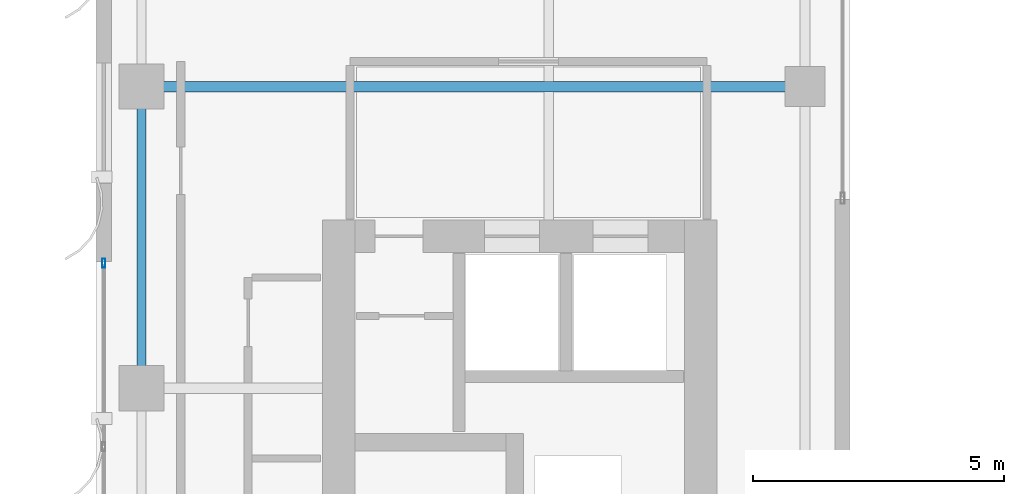
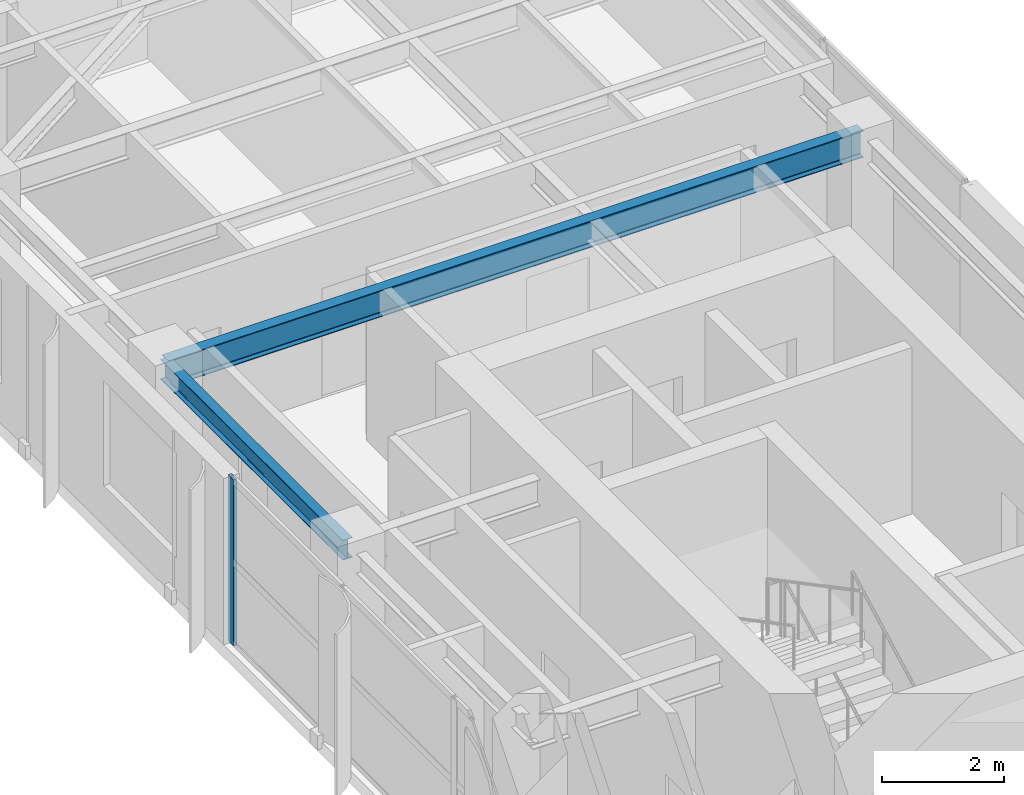
# One storey, part 8 of 22: 2 beams, 1 member, 1 element without a shape of its own.
"""IFC4 building model written with IfcOpenShell, lengths in metres."""

from ifc_helpers import new_model, si_unit, direction, frame, origin, origin_2d, place, context, subcontext, project, spatial, hollow_rectangle, i_section, extrude, source, transform, mapped, material, layer, layer_set, material_profile, profile_set, type_object, element, aggregate, save


model = new_model("IFC4")

# Units and contexts
model_context = context("Model", 3, precision=1e-05, world=origin(), true_north=direction((0.0, 1.0)))
body_context = subcontext(model_context, "Body", "Model", "MODEL_VIEW")
ifc_project = project(units=[si_unit("LENGTHUNIT", "METRE"), si_unit("AREAUNIT", "SQUARE_METRE"), si_unit("VOLUMEUNIT", "CUBIC_METRE"), si_unit("PLANEANGLEUNIT", "RADIAN"), si_unit("MASSUNIT", "GRAM", prefix="KILO")], contexts=[model_context])

# Site, building, storey
site_placement = place(None, origin())
site = spatial("IfcSite", under=ifc_project, at=site_placement, CompositionType="ELEMENT")
building_placement = place(site_placement, origin())
building = spatial("IfcBuilding", under=site, at=building_placement, Name="Khoralis Quay Care Tower", CompositionType="ELEMENT")
storey_placement = place(building_placement, frame((0.0, 0.0, 195.300048828125)))
storey = spatial("IfcBuildingStorey", under=building, at=storey_placement, Name="L51", CompositionType="ELEMENT", Elevation=195.300048828125)

# Beams
ifc_material_1 = material(Name="Steel S355", Category="steel")
ifc_material_profile_1 = material_profile(ifc_material_1, i_section(OverallWidth=0.179931640625, OverallDepth=0.39990234375, WebThickness=0.008544921875, FlangeThickness=0.013427734375, FilletRadius=0.02099609375, at=origin_2d()), Name="Steel S355")
ifc_profile_set_1 = profile_set([ifc_material_profile_1], Name="Steel S355")
beam_type_1 = type_object("IfcBeamType", Name="BM-IPE400", PredefinedType="SPANDREL", material=ifc_profile_set_1)
shared_shape_1 = source(origin(), body_context, "Body", "SweptSolid", [
    extrude(i_section(OverallWidth=0.179931640625, OverallDepth=0.39990234375, WebThickness=0.008544921875, FlangeThickness=0.013427734375, FilletRadius=0.02099609375, at=origin_2d()), origin(), (0.0, 0.0, 1.0), 6.0),
])
beam_1_placement = place(storey_placement, frame((3.89990234375, 24.0, 3.139892578125), z_axis=(0.0, 1.0, 0.0), x_axis=(-1.0, 0.0, 0.0)))
element("IfcBeam", 1, at=beam_1_placement, inside=storey, type_object=beam_type_1, Name="BM-TSP-L51-08", PredefinedType="SPANDREL", context=body_context, shape_type="MappedRepresentation", body=[
    mapped(shared_shape_1, transform((0.0, 0.0, 0.0), scale=1.0)),
])
ifc_material_profile_2 = material_profile(ifc_material_1, i_section(OverallWidth=0.208984375, OverallDepth=0.532958984375, WebThickness=0.01025390625, FlangeThickness=0.015625, FilletRadius=0.01611328125, at=origin_2d()), Name="Steel S355")
ifc_profile_set_2 = profile_set([ifc_material_profile_2], Name="Steel S355")
beam_type_2 = type_object("IfcBeamType", Name="BM-W530X92", PredefinedType="BEAM", material=ifc_profile_set_2)
shared_shape_2 = source(origin(), body_context, "Body", "SweptSolid", [
    extrude(i_section(OverallWidth=0.208984375, OverallDepth=0.532958984375, WebThickness=0.01025390625, FlangeThickness=0.015625, FilletRadius=0.01611328125, at=origin_2d()), origin(), (0.0, 0.0, 1.0), 13.2001953125),
])
beam_2_placement = place(storey_placement, frame((3.89990234375, 30.0, 3.073486328125), z_axis=(1.0, 0.0, 0.0), x_axis=(0.0, 1.0, 0.0)))
element("IfcBeam", 2, at=beam_2_placement, inside=storey, type_object=beam_type_2, Name="BM-TGXW-L51-300", PredefinedType="BEAM", context=body_context, shape_type="MappedRepresentation", body=[
    mapped(shared_shape_2, transform((0.0, 0.0, 0.0), scale=1.0)),
])

# Curtain wall, member
ifc_material_2 = material(Name="Pale anodised aluminium", Category="aluminium")
ifc_layer = layer(ifc_material_2, 0.159912109375)
ifc_layer_set = layer_set([ifc_layer], Name="Pale anodised aluminium")
curtain_wall_type = type_object("IfcCurtainWallType", Name="CW-SYS-Z3", PredefinedType="NOTDEFINED", material=ifc_layer_set)
curtain_wall_placement = place(storey_placement, origin())
curtain_wall = element("IfcCurtainWall", 3, at=curtain_wall_placement, inside=storey, type_object=curtain_wall_type, Name="L51 Unitised Curtain Wall CW-L51-P1-E7", PredefinedType="NOTDEFINED")
ifc_material_profile_3 = material_profile(ifc_material_2, hollow_rectangle(XDim=0.06494140625, YDim=0.179931640625, WallThickness=0.00390625, at=origin_2d()), Name="Pale anodised aluminium")
ifc_profile_set_3 = profile_set([ifc_material_profile_3], Name="Pale anodised aluminium")
member_type = type_object("IfcMemberType", Name="CW-MUL-180", PredefinedType="MULLION", material=ifc_profile_set_3)
shared_shape_3 = source(origin(), body_context, "Body", "SweptSolid", [
    extrude(hollow_rectangle(XDim=0.06494140625, YDim=0.179931640625, WallThickness=0.00390625, at=origin_2d()), origin(), (0.0, 0.0, 1.0), 3.33984375),
])
member_placement = place(storey_placement, frame((3.14990234375, 26.489990234375, 0.0), z_axis=(0.0, 0.0, 1.0), x_axis=(1.0, 0.0, 0.0)))
member = element("IfcMember", 4, at=member_placement, type_object=member_type, Name="CW3 mullion 1", PredefinedType="MULLION", context=body_context, shape_type="MappedRepresentation", body=[
    mapped(shared_shape_3, transform((0.0, 0.0, 0.0), scale=1.0)),
])
aggregate(curtain_wall, [member])

save(model, "model.ifc")
